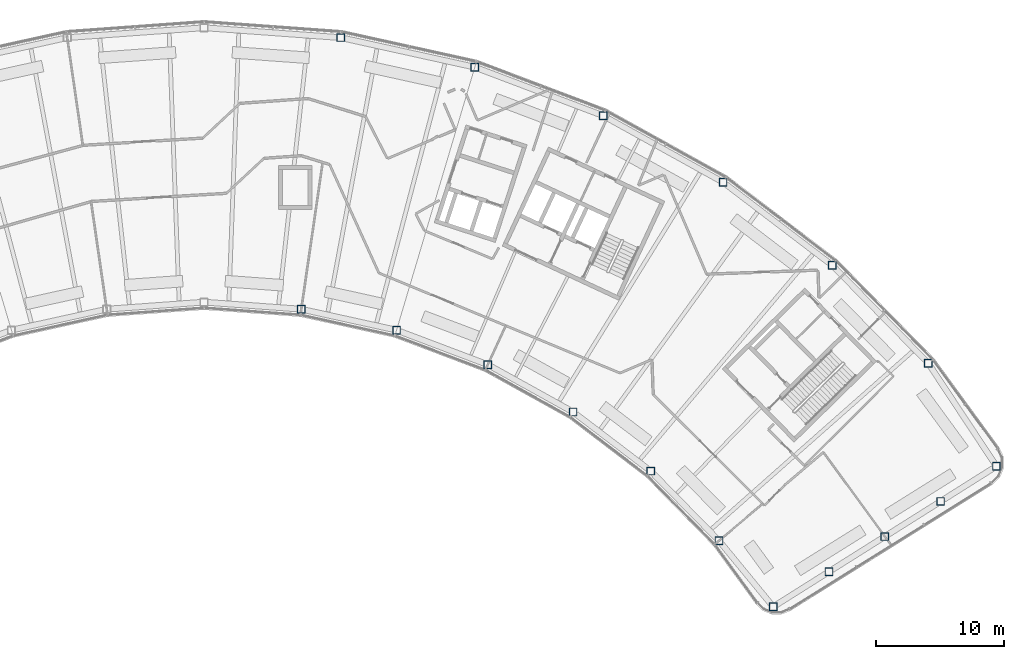
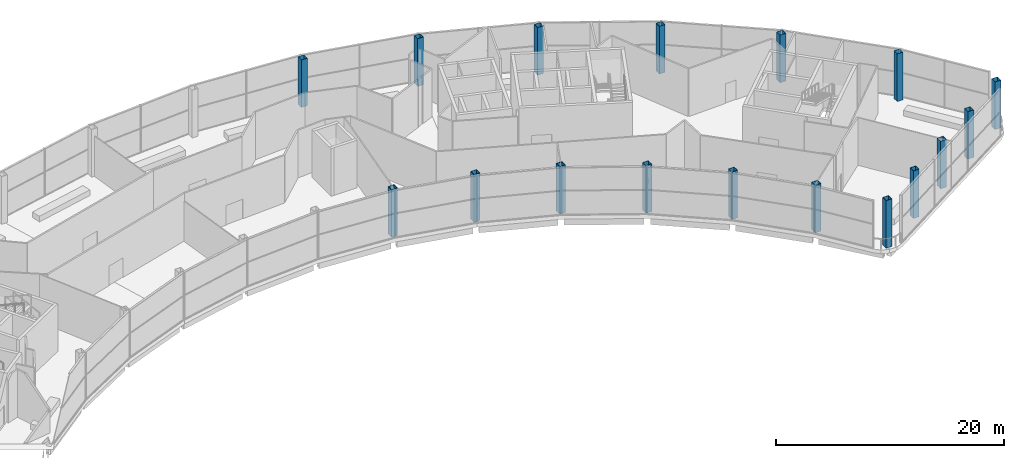
# One storey, part 2 of 43: 17 columns.
"""IFC4 building model written with IfcOpenShell, lengths in metres."""

from ifc_helpers import new_model, si_unit, direction, frame, origin, origin_2d, place, context, subcontext, project, spatial, hollow_rectangle, extrude, material, material_profile, profile_set, type_object, element, save


model = new_model("IFC4")

# Units and contexts
model_context = context("Model", 3, precision=1e-05, world=origin(), true_north=direction((0.0, 1.0)))
body_context = subcontext(model_context, "Body", "Model", "MODEL_VIEW")
ifc_project = project(units=[si_unit("LENGTHUNIT", "METRE"), si_unit("AREAUNIT", "SQUARE_METRE"), si_unit("VOLUMEUNIT", "CUBIC_METRE"), si_unit("PLANEANGLEUNIT", "RADIAN"), si_unit("MASSUNIT", "GRAM", prefix="KILO")], contexts=[model_context])

# Site, building, storey
site_placement = place(None, origin())
site = spatial("IfcSite", under=ifc_project, at=site_placement, CompositionType="ELEMENT")
building_placement = place(site_placement, origin())
building = spatial("IfcBuilding", under=site, at=building_placement, Name="Tuul Gate Civic Tower", CompositionType="ELEMENT")
storey_placement = place(building_placement, frame((0.0, 0.0, 349.10009765625)))
storey = spatial("IfcBuildingStorey", under=building, at=storey_placement, Name="Observation level 1", CompositionType="ELEMENT", Elevation=349.10009765625)

# Columns
ifc_material = material(Name="Steel S355", Category="steel")
ifc_material_profile = material_profile(ifc_material, hollow_rectangle(XDim=0.60009765625, YDim=0.60009765625, WallThickness=0.02490234375, at=origin_2d()), Name="BOX600x600x25")
ifc_profile_set = profile_set([ifc_material_profile], Name="Steel S355")
column_type = type_object("IfcColumnType", Name="STR-COLUMN-BOX600x600x25", PredefinedType="COLUMN", material=ifc_profile_set)
for number, where, z_axis, x_axis, name in (
    (1, (63.863037109375, -20.300048828125, 0.0), (0.0, 0.0, 1.0), (1.0, 0.0, 0.0), "Column"),
    (2, (58.56396484375, -12.2880859375, 0.0), (0.0, 0.0, 1.0), (1.0, 0.0, 0.0), "Column"),
    (3, (51.090087890625, -4.6630859375, 0.0), (0.0, 0.0, 1.0), (1.0, 0.0, 0.0), "Column"),
    (4, (42.593994140625, 1.804931640625, 0.0), (0.0, 0.0, 1.0), (1.0, 0.0, 0.0), "Column"),
    (5, (33.256103515625, 6.98193359375, 0.0), (0.0, 0.0, 1.0), (1.0, 0.0, 0.0), "Column"),
    (6, (23.26904296875, 10.758056640625, 0.0), (0.0, 0.0, 1.0), (1.0, 0.0, 0.0), "Column"),
    (7, (12.841064453125, 13.055908203125, 0.0), (0.0, 0.0, 1.0), (1.0, 0.0, 0.0), "Column"),
    (8, (9.763916015625, -8.076904296875, 0.0), (0.0, 0.0, 1.0), (1.0, 0.0, 0.0), "Column"),
    (9, (17.177978515625, -9.7099609375, 0.0), (0.0, 0.0, 1.0), (1.0, 0.0, 0.0), "Column"),
    (10, (24.279052734375, -12.39599609375, 0.0), (0.0, 0.0, 1.0), (1.0, 0.0, 0.0), "Column"),
    (11, (30.9189453125, -16.075927734375, 0.0), (0.0, 0.0, 1.0), (1.0, 0.0, 0.0), "Column"),
    (12, (36.958984375, -20.675048828125, 0.0), (0.0, 0.0, 1.0), (1.0, 0.0, 0.0), "Column"),
    (13, (42.27294921875, -26.096923828125, 0.0), (0.0, 0.0, 1.0), (1.0, 0.0, 0.0), "Column"),
    (14, (46.492919921875, -31.239013671875, 0.0), (0.0, 0.0, 1.0), (1.0, 0.0, 0.0), "Column"),
    (15, (50.8349609375, -28.50390625, 0.0), (0.0, 0.0, 1.0), (1.0, 0.0, 0.0), "Column"),
    (16, (55.177978515625, -25.77001953125, 0.0), (0.0, 0.0, 1.0), (1.0, 0.0, 0.0), "Column"),
    (17, (59.52001953125, -23.034912109375, 0.0), (0.0, 0.0, 1.0), (1.0, 0.0, 0.0), "Column"),
):
    element("IfcColumn", number, at=place(storey_placement, frame(where, z_axis=z_axis, x_axis=x_axis)), inside=storey, type_object=column_type, Name=name, PredefinedType="COLUMN", context=body_context, shape_type="SweptSolid", body=[
        extrude(hollow_rectangle(XDim=0.60009765625, YDim=0.60009765625, WallThickness=0.02490234375, at=origin_2d()), origin(), (0.0, 0.0, 1.0), 5.099853515625),
    ])

save(model, "model.ifc")
